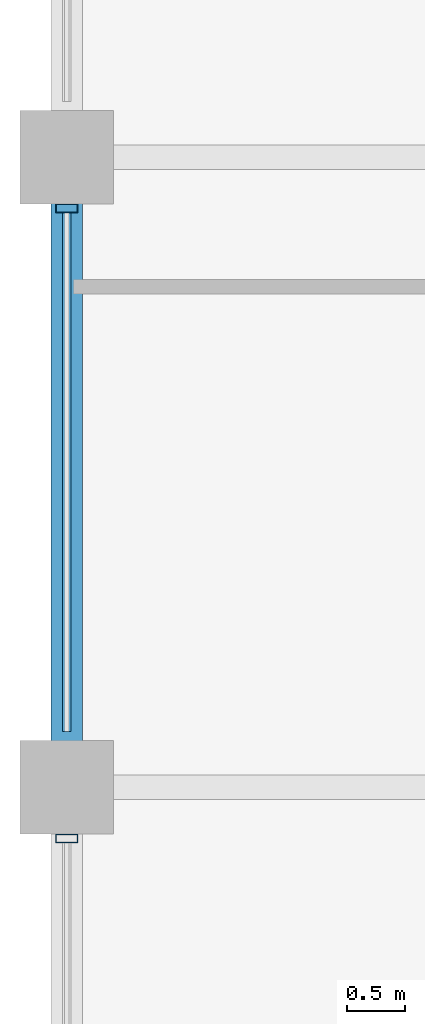
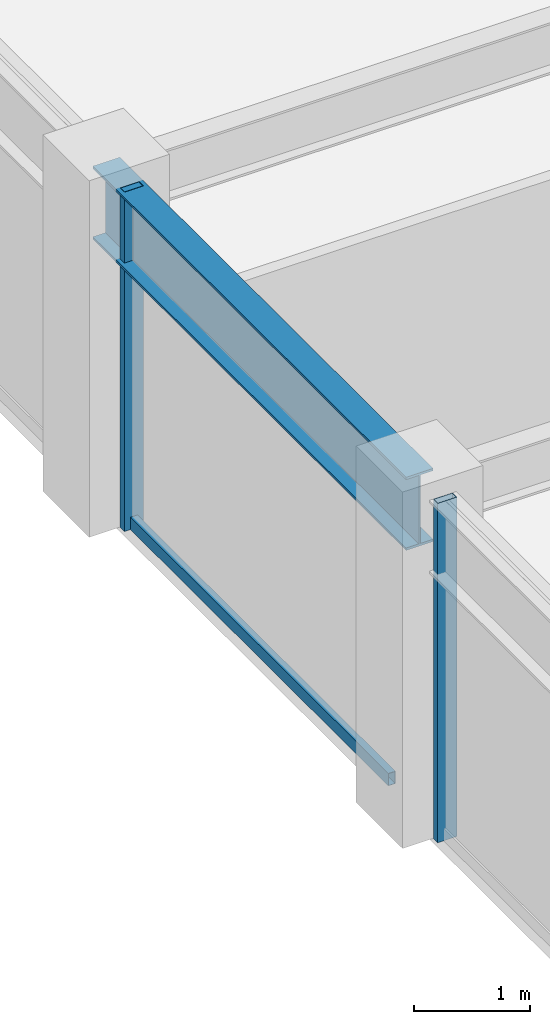
# One storey, part 10 of 32: 3 members, 1 beam, 1 element without a shape of its own.
"""IFC4 building model written with IfcOpenShell, lengths in metres."""

from ifc_helpers import new_model, si_unit, direction, frame, origin, origin_2d, place, context, subcontext, project, spatial, hollow_rectangle, i_section, extrude, material, layer, layer_set, material_profile, profile_set, type_object, element, aggregate, save


model = new_model("IFC4")

# Units and contexts
model_context = context("Model", 3, precision=1e-05, world=origin(), true_north=direction((0.0, 1.0)))
body_context = subcontext(model_context, "Body", "Model", "MODEL_VIEW")
ifc_project = project(units=[si_unit("LENGTHUNIT", "METRE"), si_unit("AREAUNIT", "SQUARE_METRE"), si_unit("VOLUMEUNIT", "CUBIC_METRE"), si_unit("PLANEANGLEUNIT", "RADIAN"), si_unit("MASSUNIT", "GRAM", prefix="KILO")], contexts=[model_context])

# Site, building, storey
site_placement = place(None, origin())
site = spatial("IfcSite", under=ifc_project, at=site_placement, CompositionType="ELEMENT")
building_placement = place(site_placement, origin())
building = spatial("IfcBuilding", under=site, at=building_placement, Name="Surkhivell Harbour Commons", CompositionType="ELEMENT")
storey_placement = place(building_placement, frame((0.0, 0.0, 219.75)))
storey = spatial("IfcBuildingStorey", under=building, at=storey_placement, Name="L57", CompositionType="ELEMENT", Elevation=219.75)

# Beam
ifc_material_1 = material(Name="Steel S355", Category="steel")
ifc_material_profile_1 = material_profile(ifc_material_1, i_section(OverallWidth=0.26806640625, OverallDepth=0.77001953125, WebThickness=0.015625, FlangeThickness=0.025390625, at=origin_2d()), Name="UB762x267x197")
ifc_profile_set_1 = profile_set([ifc_material_profile_1], Name="Steel S355")
beam_type = type_object("IfcBeamType", Name="BM-SPN-762", PredefinedType="SPANDREL", material=ifc_profile_set_1)
beam_placement = place(storey_placement, frame((-27.0, 5.39990234375, 3.18505859375), z_axis=(0.0, 1.0, 0.0), x_axis=(-1.0, 0.0, 0.0)))
element("IfcBeam", 1, at=beam_placement, inside=storey, type_object=beam_type, Name="L57 Tube Spandrel (-27.0,5.4)", PredefinedType="SPANDREL", context=body_context, shape_type="SweptSolid", body=[
    extrude(i_section(OverallWidth=0.26806640625, OverallDepth=0.77001953125, WebThickness=0.015625, FlangeThickness=0.025390625, at=origin_2d()), origin(), (0.0, 0.0, 1.0), 5.400146484375),
])

# Curtain wall, members
ifc_material_2 = material(Name="Anodised pale-metal aluminium and insulated glazing", Category="aluminium")
ifc_layer = layer(ifc_material_2, 0.18994140625)
ifc_layer_set = layer_set([ifc_layer], Name="Anodised pale-metal aluminium and insulated glazing")
curtain_wall_type = type_object("IfcCurtainWallType", Name="CW-SYS-Z3", PredefinedType="NOTDEFINED", material=ifc_layer_set)
curtain_wall_placement = place(storey_placement, origin())
curtain_wall = element("IfcCurtainWall", 2, at=curtain_wall_placement, inside=storey, type_object=curtain_wall_type, Name="L57 Curtain Wall CW-L57-E12S1", PredefinedType="NOTDEFINED")
ifc_material_3 = material(Name="Anodised pale-metal aluminium alloy 6063-T6", Category="aluminium")
ifc_material_profile_2 = material_profile(ifc_material_3, hollow_rectangle(XDim=0.074951171875, YDim=0.18994140625, WallThickness=0.00390625, at=origin_2d()), Name="ALU-MULL-75x190")
ifc_profile_set_2 = profile_set([ifc_material_profile_2], Name="Anodised pale-metal aluminium alloy 6063-T6")
member_type_1 = type_object("IfcMemberType", Name="CWM-190", PredefinedType="MULLION", material=ifc_profile_set_2)
member_1_placement = place(storey_placement, frame((-27.0, 10.360595703125, 0.0), z_axis=(0.0, 0.0, 1.0), x_axis=(0.0, -1.0, 0.0)))
member_1 = element("IfcMember", 3, at=member_1_placement, type_object=member_type_1, Name="CW-Z3 mullion 3", PredefinedType="MULLION", context=body_context, shape_type="SweptSolid", body=[
    extrude(hollow_rectangle(XDim=0.074951171875, YDim=0.18994140625, WallThickness=0.00390625, at=origin_2d()), origin(), (0.0, 0.0, 1.0), 3.570068359375),
])
member_2_placement = place(storey_placement, frame((-27.0, 4.96044921875, 0.0), z_axis=(0.0, 0.0, 1.0), x_axis=(0.0, -1.0, 0.0)))
member_2 = element("IfcMember", 4, at=member_2_placement, type_object=member_type_1, Name="CW-Z3 mullion 4", PredefinedType="MULLION", context=body_context, shape_type="SweptSolid", body=[
    extrude(hollow_rectangle(XDim=0.074951171875, YDim=0.18994140625, WallThickness=0.00390625, at=origin_2d()), origin(), (0.0, 0.0, 1.0), 3.570068359375),
])
ifc_material_4 = material(Name="Champagne anodised aluminium alloy 6063-T6", Category="aluminium")
ifc_material_profile_3 = material_profile(ifc_material_4, hollow_rectangle(XDim=0.070068359375, YDim=0.1298828125, WallThickness=0.00341796875, at=origin_2d()), Name="ALU-TRAN-70x130")
ifc_profile_set_3 = profile_set([ifc_material_profile_3], Name="Champagne anodised aluminium alloy 6063-T6")
member_type_2 = type_object("IfcMemberType", Name="CWT-130", PredefinedType="USERDEFINED", material=ifc_profile_set_3)
member_3_placement = place(storey_placement, frame((-27.0, 10.322998046875, 0.06494140625), z_axis=(0.0, -1.0, 0.0), x_axis=(1.0, 0.0, 0.0)))
member_3 = element("IfcMember", 5, at=member_3_placement, type_object=member_type_2, Name="CW-Z3 transom 3.1", ObjectType="TRANSOM", PredefinedType="USERDEFINED", context=body_context, shape_type="SweptSolid", body=[
    extrude(hollow_rectangle(XDim=0.070068359375, YDim=0.1298828125, WallThickness=0.00341796875, at=origin_2d()), origin(), (0.0, 0.0, 1.0), 4.446044921875),
])
aggregate(curtain_wall, [member_1, member_3, member_2])

save(model, "model.ifc")
